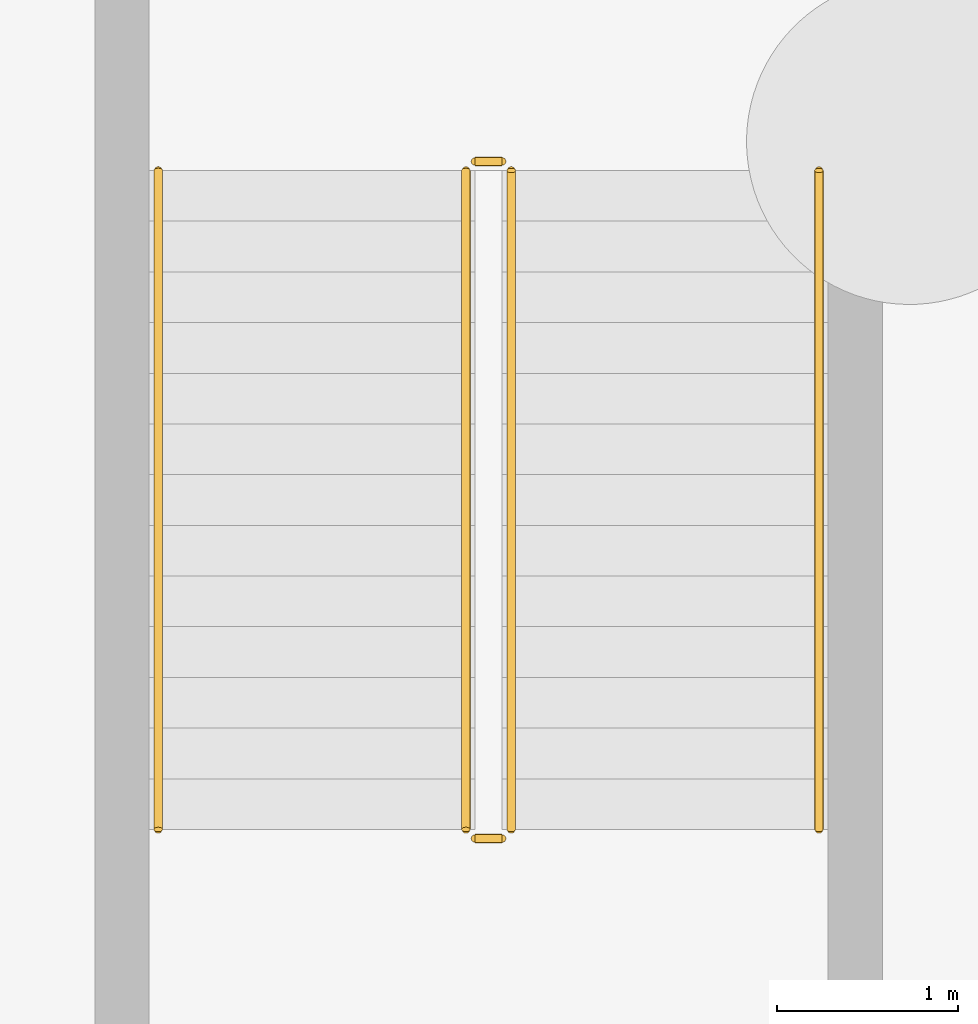
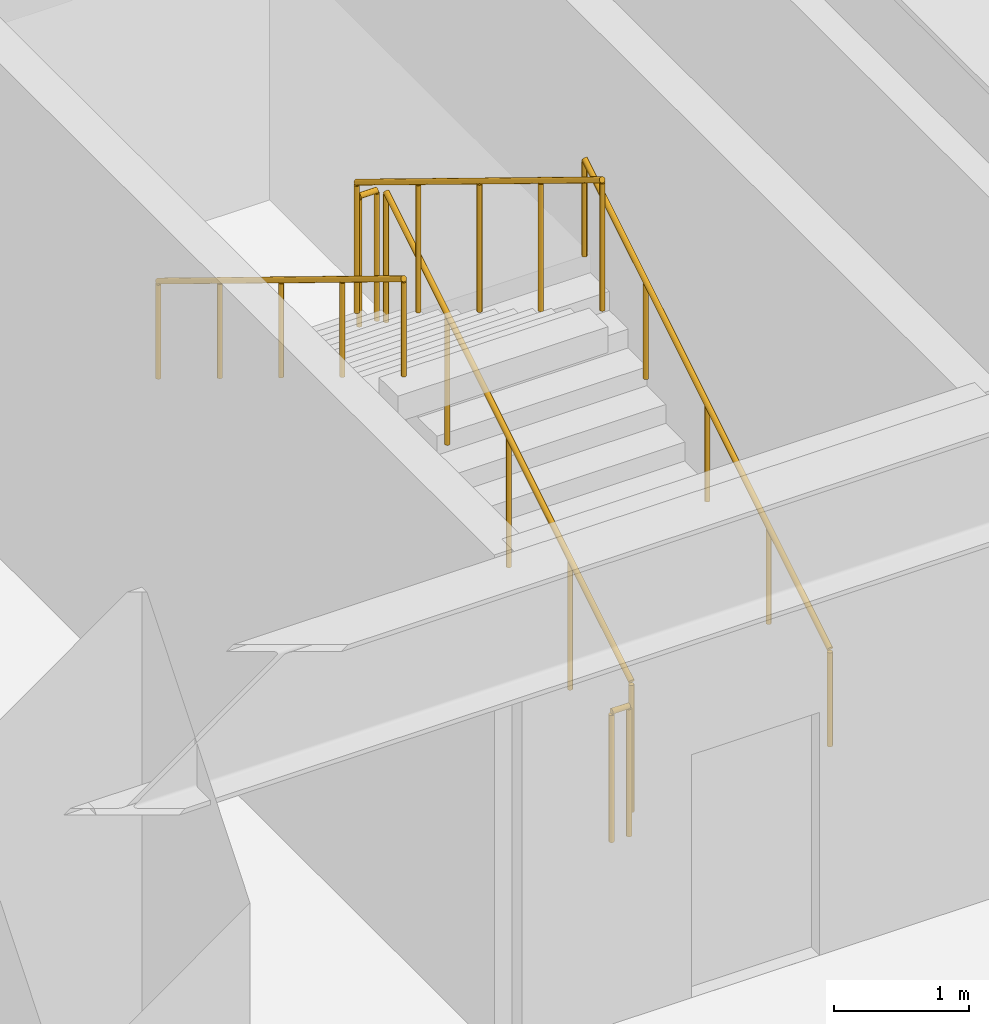
# One storey, part 12 of 13: 6 railings.
"""IFC4 building model written with IfcOpenShell, lengths in metres."""

from ifc_helpers import new_model, si_unit, direction, frame, origin, origin_2d, place, context, subcontext, project, spatial, circle, extrude, source, transform, mapped, material, type_object, element, save


model = new_model("IFC4")

# Units and contexts
model_context = context("Model", 3, precision=1e-05, world=origin(), true_north=direction((0.0, 1.0)))
body_context = subcontext(model_context, "Body", "Model", "MODEL_VIEW")
ifc_project = project(units=[si_unit("LENGTHUNIT", "METRE"), si_unit("AREAUNIT", "SQUARE_METRE"), si_unit("VOLUMEUNIT", "CUBIC_METRE"), si_unit("PLANEANGLEUNIT", "RADIAN"), si_unit("MASSUNIT", "GRAM", prefix="KILO")], contexts=[model_context])

# Site, building, storey
site_placement = place(None, origin())
site = spatial("IfcSite", under=ifc_project, at=site_placement, CompositionType="ELEMENT")
building_placement = place(site_placement, origin())
building = spatial("IfcBuilding", under=site, at=building_placement, Name="Khorayat Bourse Tower", CompositionType="ELEMENT")
storey_placement = place(building_placement, frame((0.0, 0.0, -9.60009765625)))
storey = spatial("IfcBuildingStorey", under=building, at=storey_placement, Name="B02", CompositionType="ELEMENT", Elevation=-9.60009765625)

# Railings
ifc_material_1 = material(Name="Powder-coated steel balustrade", Category="steel")
railing_type_1 = type_object("IfcRailingType", Name="RLG-GUARD-1200", PredefinedType="GUARDRAIL", material=ifc_material_1)
shared_shape_1 = source(origin(), body_context, "Body", "SweptSolid", [
    extrude(circle(Radius=0.02392578125, at=origin_2d()), frame((0.0, 0.0, 1.17578125), z_axis=(0.0, 0.852865859571, 0.52213008492), x_axis=(-1.0, 0.0, 0.0)), (0.0, 0.0, 1.0), 4.26806640625),
    extrude(circle(Radius=0.02099609375, at=origin_2d()), origin(), (0.0, 0.0, 1.0), 1.15185546875),
    extrude(circle(Radius=0.02099609375, at=origin_2d()), frame((0.0, 0.91015625, 0.55712890625)), (0.0, 0.0, 1.0), 1.15185546875),
    extrude(circle(Radius=0.02099609375, at=origin_2d()), frame((0.0, 1.820068359375, 1.1142578125)), (0.0, 0.0, 1.0), 1.15185546875),
    extrude(circle(Radius=0.02099609375, at=origin_2d()), frame((0.0, 2.72998046875, 1.67138671875)), (0.0, 0.0, 1.0), 1.15185546875),
    extrude(circle(Radius=0.02099609375, at=origin_2d()), frame((0.0, 3.64013671875, 2.228515625)), (0.0, 0.0, 1.0), 1.15185546875),
])
railing_1_placement = place(storey_placement, frame((27.800048828125, -21.800048828125, 0.171630859375)))
element("IfcRailing", 1, at=railing_1_placement, inside=storey, type_object=railing_type_1, Name="B02 ST-P2 stair guard 1", PredefinedType="GUARDRAIL", context=body_context, shape_type="MappedRepresentation", body=[
    mapped(shared_shape_1, transform((0.0, 0.0, 0.0), scale=1.0)),
])
shared_shape_2 = source(origin(), body_context, "Body", "SweptSolid", [
    extrude(circle(Radius=0.02392578125, at=origin_2d()), frame((0.0, 0.0, 1.17578125), z_axis=(-1.0, 0.0, 0.0), x_axis=(0.0, -1.0, 0.0)), (0.0, 0.0, 1.0), 0.14990234375),
    extrude(circle(Radius=0.02099609375, at=origin_2d()), origin(), (0.0, 0.0, 1.0), 1.15185546875),
    extrude(circle(Radius=0.02099609375, at=origin_2d()), frame((-0.14990234375, 0.0, 0.0)), (0.0, 0.0, 1.0), 1.15185546875),
])
for number, where, name in (
    (2, (27.75, -18.110107421875, 2.400146484375), "B02 ST-P2 stair guard 2"),
    (3, (27.75, -21.85009765625, 0.0), "B02 ST-P2 stair guard 4"),
):
    element("IfcRailing", number, at=place(storey_placement, frame(where)), inside=storey, type_object=railing_type_1, Name=name, PredefinedType="GUARDRAIL", context=body_context, shape_type="MappedRepresentation", body=[
        mapped(shared_shape_2, transform((0.0, 0.0, 0.0), scale=1.0)),
    ])
shared_shape_3 = source(origin(), body_context, "Body", "SweptSolid", [
    extrude(circle(Radius=0.02392578125, at=origin_2d()), frame((0.0, 0.0, 1.17578125), z_axis=(0.0, -0.852865859571, 0.52213008492), x_axis=(1.0, 0.0, 0.0)), (0.0, 0.0, 1.0), 4.26806640625),
    extrude(circle(Radius=0.02099609375, at=origin_2d()), origin(), (0.0, 0.0, 1.0), 1.15185546875),
    extrude(circle(Radius=0.02099609375, at=origin_2d()), frame((0.0, -0.91015625, 0.55712890625)), (0.0, 0.0, 1.0), 1.15185546875),
    extrude(circle(Radius=0.02099609375, at=origin_2d()), frame((0.0, -1.820068359375, 1.1142578125)), (0.0, 0.0, 1.0), 1.15185546875),
    extrude(circle(Radius=0.02099609375, at=origin_2d()), frame((0.0, -2.72998046875, 1.67138671875)), (0.0, 0.0, 1.0), 1.15185546875),
    extrude(circle(Radius=0.02099609375, at=origin_2d()), frame((0.0, -3.64013671875, 2.228515625)), (0.0, 0.0, 1.0), 1.15185546875),
])
railing_2_placement = place(storey_placement, frame((27.550048828125, -18.159912109375, 2.571533203125)))
element("IfcRailing", 4, at=railing_2_placement, inside=storey, type_object=railing_type_1, Name="B02 ST-P2 stair guard 3", PredefinedType="GUARDRAIL", context=body_context, shape_type="MappedRepresentation", body=[
    mapped(shared_shape_3, transform((0.0, 0.0, 0.0), scale=1.0)),
])
ifc_material_2 = material(Name="Brushed bronze stainless-steel handrail", Category="steel")
railing_type_2 = type_object("IfcRailingType", Name="RLG-HAND-900", PredefinedType="HANDRAIL", material=ifc_material_2)
shared_shape_4 = source(origin(), body_context, "Body", "SweptSolid", [
    extrude(circle(Radius=0.02392578125, at=origin_2d()), frame((0.0, 0.0, 0.8759765625), z_axis=(0.0, 0.852865859571, 0.52213008492), x_axis=(-1.0, 0.0, 0.0)), (0.0, 0.0, 1.0), 4.26806640625),
    extrude(circle(Radius=0.02099609375, at=origin_2d()), origin(), (0.0, 0.0, 1.0), 0.851806640625),
    extrude(circle(Radius=0.02099609375, at=origin_2d()), frame((0.0, 0.91015625, 0.55712890625)), (0.0, 0.0, 1.0), 0.851806640625),
    extrude(circle(Radius=0.02099609375, at=origin_2d()), frame((0.0, 1.820068359375, 1.1142578125)), (0.0, 0.0, 1.0), 0.851806640625),
    extrude(circle(Radius=0.02099609375, at=origin_2d()), frame((0.0, 2.72998046875, 1.67138671875)), (0.0, 0.0, 1.0), 0.851806640625),
    extrude(circle(Radius=0.02099609375, at=origin_2d()), frame((0.0, 3.64013671875, 2.228515625)), (0.0, 0.0, 1.0), 0.851806640625),
])
railing_3_placement = place(storey_placement, frame((29.5, -21.800048828125, 0.171630859375)))
element("IfcRailing", 5, at=railing_3_placement, inside=storey, type_object=railing_type_2, Name="B02 ST-P2 stair handrail 1", PredefinedType="HANDRAIL", context=body_context, shape_type="MappedRepresentation", body=[
    mapped(shared_shape_4, transform((0.0, 0.0, 0.0), scale=1.0)),
])
shared_shape_5 = source(origin(), body_context, "Body", "SweptSolid", [
    extrude(circle(Radius=0.02392578125, at=origin_2d()), frame((0.0, 0.0, 0.8759765625), z_axis=(0.0, -0.852865859571, 0.52213008492), x_axis=(1.0, 0.0, 0.0)), (0.0, 0.0, 1.0), 4.26806640625),
    extrude(circle(Radius=0.02099609375, at=origin_2d()), origin(), (0.0, 0.0, 1.0), 0.851806640625),
    extrude(circle(Radius=0.02099609375, at=origin_2d()), frame((0.0, -0.91015625, 0.55712890625)), (0.0, 0.0, 1.0), 0.851806640625),
    extrude(circle(Radius=0.02099609375, at=origin_2d()), frame((0.0, -1.820068359375, 1.1142578125)), (0.0, 0.0, 1.0), 0.851806640625),
    extrude(circle(Radius=0.02099609375, at=origin_2d()), frame((0.0, -2.72998046875, 1.67138671875)), (0.0, 0.0, 1.0), 0.851806640625),
    extrude(circle(Radius=0.02099609375, at=origin_2d()), frame((0.0, -3.64013671875, 2.228515625)), (0.0, 0.0, 1.0), 0.851806640625),
])
railing_4_placement = place(storey_placement, frame((25.85009765625, -18.159912109375, 2.571533203125)))
element("IfcRailing", 6, at=railing_4_placement, inside=storey, type_object=railing_type_2, Name="B02 ST-P2 stair handrail 2", PredefinedType="HANDRAIL", context=body_context, shape_type="MappedRepresentation", body=[
    mapped(shared_shape_5, transform((0.0, 0.0, 0.0), scale=1.0)),
])

save(model, "model.ifc")
